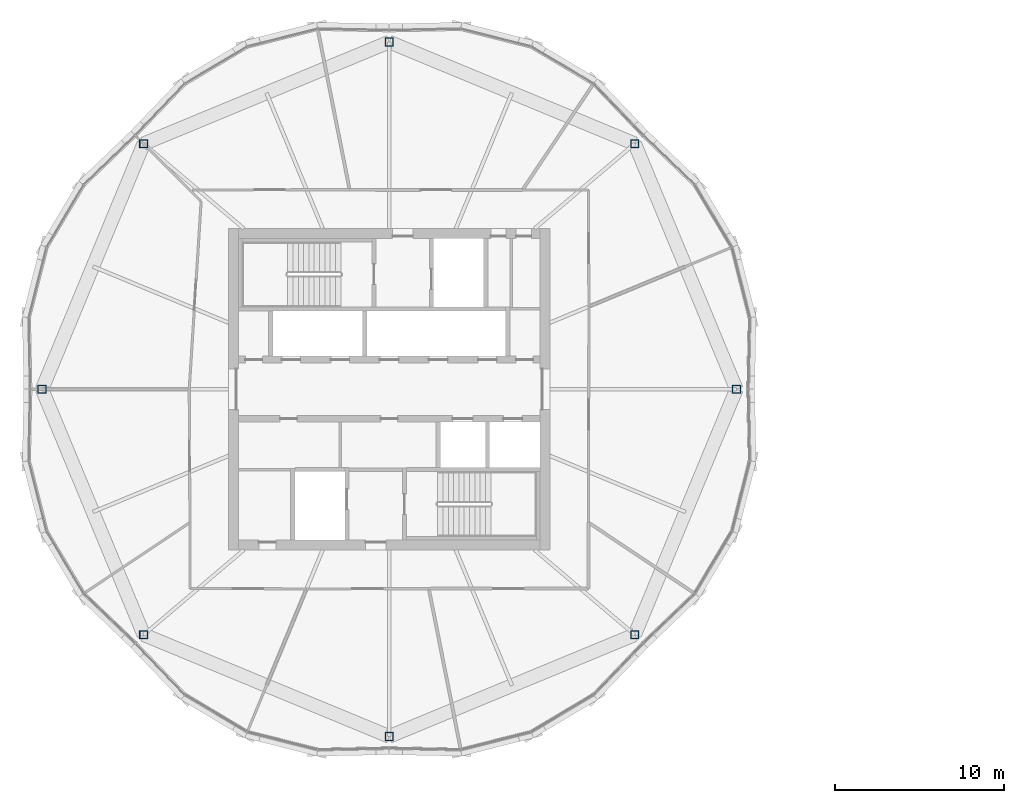
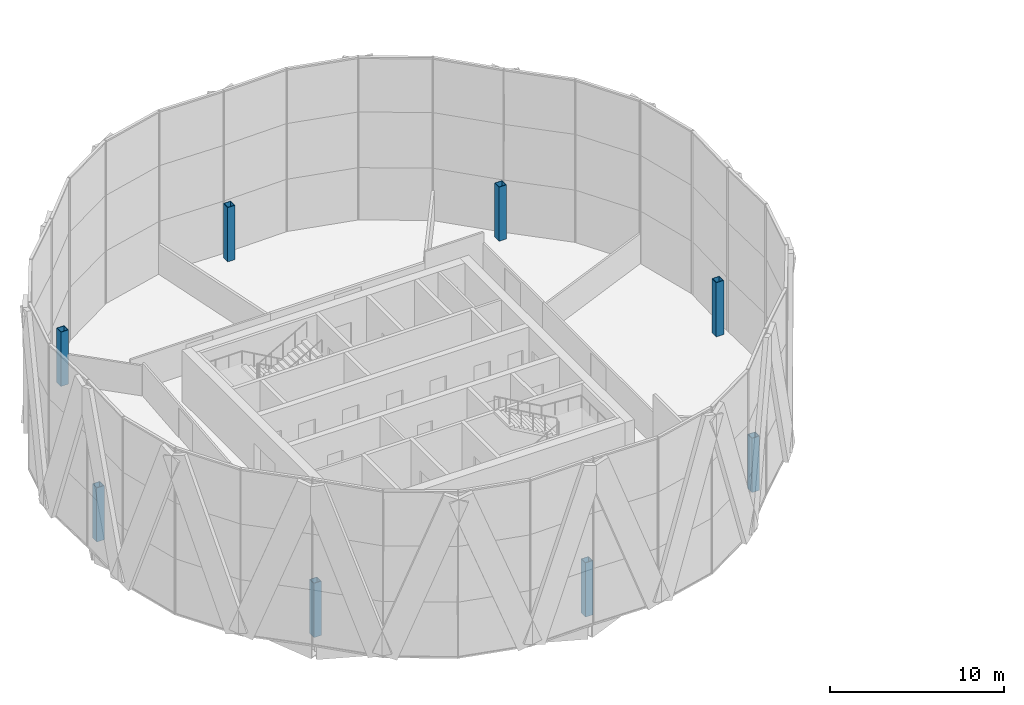
# One storey, part 1 of 25: 8 columns.
"""IFC4 building model written with IfcOpenShell, lengths in metres."""

from ifc_helpers import new_model, si_unit, direction, frame, origin, origin_2d, place, context, subcontext, project, spatial, hollow_rectangle, extrude, material, material_profile, profile_set, type_object, element, save


model = new_model("IFC4")

# Units and contexts
model_context = context("Model", 3, precision=1e-05, world=origin(), true_north=direction((0.0, 1.0)))
body_context = subcontext(model_context, "Body", "Model", "MODEL_VIEW")
ifc_project = project(units=[si_unit("LENGTHUNIT", "METRE"), si_unit("AREAUNIT", "SQUARE_METRE"), si_unit("VOLUMEUNIT", "CUBIC_METRE"), si_unit("PLANEANGLEUNIT", "RADIAN"), si_unit("MASSUNIT", "GRAM", prefix="KILO")], contexts=[model_context])

# Site, building, storey
site_placement = place(None, origin())
site = spatial("IfcSite", under=ifc_project, at=site_placement, CompositionType="ELEMENT")
building_placement = place(site_placement, origin())
building = spatial("IfcBuilding", under=site, at=building_placement, Name="Ogive Gate Towers", CompositionType="ELEMENT")
storey_placement = place(building_placement, frame((0.0, 0.0, 196.800048828125)))
storey = spatial("IfcBuildingStorey", under=building, at=storey_placement, Name="L47", CompositionType="ELEMENT", Elevation=196.800048828125)

# Columns
ifc_material = material(Name="Steel SM460", Category="steel")
ifc_material_profile = material_profile(ifc_material, hollow_rectangle(XDim=0.5, YDim=0.5, WallThickness=0.030029296875, at=origin_2d()), Name="BX 500x500x30")
ifc_profile_set = profile_set([ifc_material_profile], Name="Steel SM460")
column_type = type_object("IfcColumnType", Name="Perimeter post BX 500x500x30", PredefinedType="COLUMN", material=ifc_profile_set)
for number, where, z_axis, x_axis, name in (
    (1, (-15.47998046875, 0.0, 0.0), (0.0, 0.0, 1.0), (1.0, 0.0, 0.0), "T1/L47/SCL001"),
    (2, (-21.490234375, 14.509765625, 0.0), (0.0, 0.0, 1.0), (1.0, 0.0, 0.0), "T1/L47/SCL002"),
    (3, (-36.0, 20.52001953125, 0.0), (0.0, 0.0, 1.0), (1.0, 0.0, 0.0), "T1/L47/SCL003"),
    (4, (-50.509765625, 14.509765625, 0.0), (0.0, 0.0, 1.0), (1.0, 0.0, 0.0), "T1/L47/SCL004"),
    (5, (-56.52001953125, 0.0, 0.0), (0.0, 0.0, 1.0), (1.0, 0.0, 0.0), "T1/L47/SCL005"),
    (6, (-50.509765625, -14.509765625, 0.0), (0.0, 0.0, 1.0), (1.0, 0.0, 0.0), "T1/L47/SCL006"),
    (7, (-36.0, -20.52001953125, 0.0), (0.0, 0.0, 1.0), (1.0, 0.0, 0.0), "T1/L47/SCL007"),
    (8, (-21.490234375, -14.509765625, 0.0), (0.0, 0.0, 1.0), (1.0, 0.0, 0.0), "T1/L47/SCL008"),
):
    element("IfcColumn", number, at=place(storey_placement, frame(where, z_axis=z_axis, x_axis=x_axis)), inside=storey, type_object=column_type, Name=name, PredefinedType="COLUMN", context=body_context, shape_type="SweptSolid", body=[
        extrude(hollow_rectangle(XDim=0.5, YDim=0.5, WallThickness=0.030029296875, at=origin_2d()), origin(), (0.0, 0.0, 1.0), 3.800048828125),
    ])

save(model, "model.ifc")
